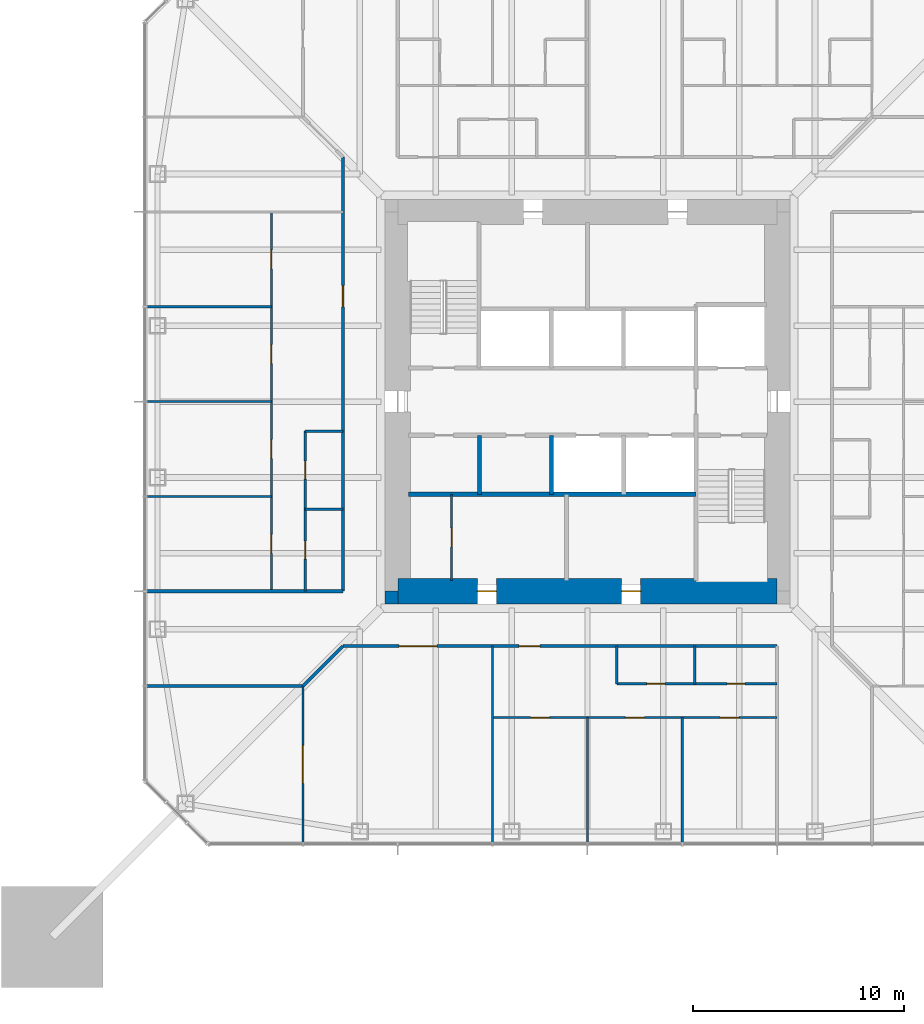
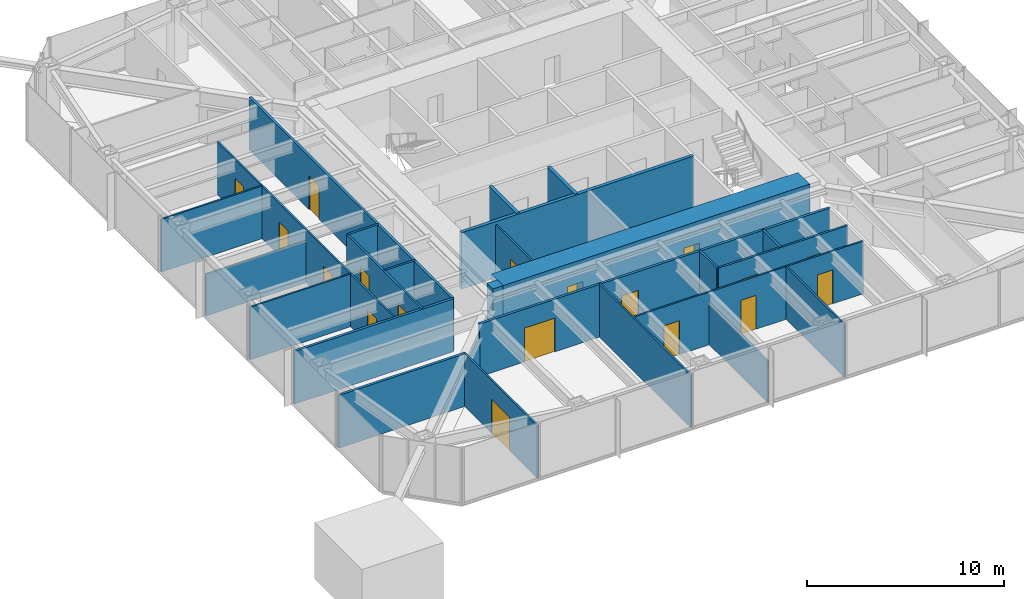
# One storey, part 13 of 25: 26 walls, 18 doors, 18 openings.
"""IFC4 building model written with IfcOpenShell, lengths in metres."""

import ifcopenshell
import ifcopenshell.guid

model = None  # the IFC model being written
_history = None  # IfcOwnerHistory: only IFC2X3 demands one
_inside = {}  # id of a spatial element -> (the spatial element, [elements in it])
_under = {}  # id of a project, library or spatial element -> (it, [spatial elements below it])
_declared = {}  # id of a project -> (the project, [libraries it declares])
_typed = {}  # id of a type object -> (the type object, [elements of that type])
_made_of = {}  # id of a material, layer set ... -> (it, [elements and type objects made of it])


def new_model(schema):
    """Start an empty IFC model of exactly this schema.

    Asked for "IFC4X3", IfcOpenShell would pick the latest addendum, in which some entities
    have other attributes; the version numbers below select the first issue.
    IFC2X3 requires an IfcOwnerHistory on every rooted entity: one is made here for all.
    """
    global model, _history
    if schema == "IFC4X3":
        model = ifcopenshell.file(schema_version=(4, 3, 0, 0))
    else:
        model = ifcopenshell.file(schema=schema)
    _inside.clear()
    _under.clear()
    _declared.clear()
    _typed.clear()
    _made_of.clear()
    _history = None
    if model.schema == "IFC2X3":
        org = make("IfcOrganization", Name="unknown")
        user = make(
            "IfcPersonAndOrganization",
            ThePerson=make("IfcPerson", FamilyName="unknown"),
            TheOrganization=org,
        )
        app = make(
            "IfcApplication",
            ApplicationDeveloper=org,
            Version="unknown",
            ApplicationFullName="unknown",
            ApplicationIdentifier="unknown",
        )
        _history = make(
            "IfcOwnerHistory",
            OwningUser=user,
            OwningApplication=app,
            ChangeAction="ADDED",
            CreationDate=0,
        )
    return model


def make(cls, **values):
    """One entity of the class cls with the attributes given. An attribute that is None is left unset."""
    return model.create_entity(
        cls, **{name: value for name, value in values.items() if value is not None}
    )


def rooted(cls, **values):
    """An entity with a GlobalId (a new one), such as an element, a storey or a relation."""
    return make(cls, GlobalId=ifcopenshell.guid.new(), OwnerHistory=_history, **values)


def si_unit(unit_type, name, prefix=None):
    """IfcSIUnit, for example si_unit("LENGTHUNIT", "METRE", prefix="MILLI")."""
    return make("IfcSIUnit", UnitType=unit_type, Prefix=prefix, Name=name)


def assignment(units):
    """IfcUnitAssignment: the units of a project."""
    return None if units is None else make("IfcUnitAssignment", Units=units)


def point(xyz):
    """IfcCartesianPoint."""
    return None if xyz is None else make("IfcCartesianPoint", Coordinates=xyz)


def direction(xyz):
    """IfcDirection."""
    return None if xyz is None else make("IfcDirection", DirectionRatios=xyz)


def frame(location, z_axis=None, x_axis=None):
    """IfcAxis2Placement3D, a coordinate frame: its origin and axes. An axis left out is left unset."""
    return make(
        "IfcAxis2Placement3D",
        Location=point(location),
        Axis=direction(z_axis),
        RefDirection=direction(x_axis),
    )


def frame_2d(location, x_axis=None):
    """IfcAxis2Placement2D, a coordinate frame in the plane: its origin and x axis."""
    return make(
        "IfcAxis2Placement2D", Location=point(location), RefDirection=direction(x_axis)
    )


def origin():
    """The frame at (0, 0, 0) with its axes left unset."""
    return frame((0.0, 0.0, 0.0))


def place(relative_to, where):
    """IfcLocalPlacement: puts the frame where relative to a parent placement (None: the world)."""
    return make(
        "IfcLocalPlacement", PlacementRelTo=relative_to, RelativePlacement=where
    )


def context(
    kind, dimensions, precision=None, world=None, true_north=None, identifier=None
):
    """IfcGeometricRepresentationContext, for example the 3D "Model" context."""
    return make(
        "IfcGeometricRepresentationContext",
        ContextIdentifier=identifier,
        ContextType=kind,
        CoordinateSpaceDimension=dimensions,
        Precision=precision,
        WorldCoordinateSystem=world,
        TrueNorth=true_north,
    )


def subcontext(parent, identifier, kind, view, scale=None):
    """IfcGeometricRepresentationSubContext, for example "Body" below "Model"."""
    return make(
        "IfcGeometricRepresentationSubContext",
        ContextIdentifier=identifier,
        ContextType=kind,
        ParentContext=parent,
        TargetScale=scale,
        TargetView=view,
    )


def project(units=None, contexts=None):
    """IfcProject with its units and contexts."""
    return rooted(
        "IfcProject",
        Name="project",
        RepresentationContexts=contexts,
        UnitsInContext=assignment(units),
    )


def spatial(cls, under=None, at=None, **own):
    """A site, building, storey or space (cls), placed at a placement, below another one or the project."""
    s = rooted(cls, ObjectPlacement=at, **own)
    if under is not None:
        _under.setdefault(under.id(), (under, []))[1].append(s)
    return s


def profile(cls, at=None, kind="AREA", **sizes):
    """A parametric profile (cls). Its sizes go by their IFC names, for example OverallWidth=200.0."""
    return make(cls, ProfileType=kind, Position=at, **sizes)


def rectangle(**sizes):
    """IfcRectangleProfileDef."""
    return profile("IfcRectangleProfileDef", **sizes)


def extrude(swept, where, along, depth):
    """IfcExtrudedAreaSolid: the profile swept, set in the frame where, extruded along a direction by depth."""
    return make(
        "IfcExtrudedAreaSolid",
        SweptArea=swept,
        Position=where,
        ExtrudedDirection=direction(along),
        Depth=depth,
    )


def shape(context_of_items, identifier, shape_type, items):
    """IfcShapeRepresentation: the items that make up one representation, for example the "Body"."""
    return make(
        "IfcShapeRepresentation",
        ContextOfItems=context_of_items,
        RepresentationIdentifier=identifier,
        RepresentationType=shape_type,
        Items=items,
    )


def material(Name=None, Category=None):
    """IfcMaterial."""
    return make("IfcMaterial", Name=Name, Category=Category)


def layer(
    of_material, thickness, ventilated=None, Name=None, Category=None, Priority=None
):
    """IfcMaterialLayer: one layer of a wall or slab, of a material (None: an air gap)."""
    return make(
        "IfcMaterialLayer",
        Material=of_material,
        LayerThickness=thickness,
        IsVentilated=ventilated,
        Name=Name,
        Category=Category,
        Priority=Priority,
    )


def layer_set(layers, Name=None):
    """IfcMaterialLayerSet."""
    return make("IfcMaterialLayerSet", MaterialLayers=layers, LayerSetName=Name)


def made_of(thing, what):
    """Note that an element or type object is made of a material, layer set ...; save() writes the relation."""
    if what is not None:
        _made_of.setdefault(what.id(), (what, []))[1].append(thing)
    return thing


def type_object(cls, material=None, **own):
    """A type object (cls), such as IfcWallType, which elements share."""
    return made_of(rooted(cls, **own), material)


def element(
    cls,
    number,
    at=None,
    inside=None,
    cuts=None,
    type_object=None,
    material=None,
    context=None,
    identifier="Body",
    shape_type=None,
    held_by="IfcProductDefinitionShape",
    body=None,
    shapes=None,
    **own,
):
    """One element of the class cls, such as IfcWall. Its Tag is "e" and its number.

    at: its placement. inside: the storey or other place that contains it. cuts: it is an
    opening in that element (IfcRelVoidsElement). A single representation is given by context,
    identifier, shape_type and body (its items); several are given by shapes. held_by: the class
    of the entity that holds the representations. save() writes the other relations.
    """
    e = rooted(cls, Tag="e%d" % number, ObjectPlacement=at, **own)
    if body is not None:
        shapes = [shape(context, identifier, shape_type, body)]
    if shapes is not None:
        e.Representation = make(held_by, Representations=shapes)
    if inside is not None:
        _inside.setdefault(inside.id(), (inside, []))[1].append(e)
    if cuts is not None:
        rooted(
            "IfcRelVoidsElement", RelatingBuildingElement=cuts, RelatedOpeningElement=e
        )
    if type_object is not None:
        _typed.setdefault(type_object.id(), (type_object, []))[1].append(e)
    return made_of(e, material)


def fill(opening, filler):
    """IfcRelFillsElement: the door or window that sits in an opening."""
    return rooted(
        "IfcRelFillsElement",
        RelatingOpeningElement=opening,
        RelatedBuildingElement=filler,
    )


def aggregate(whole, parts):
    """IfcRelAggregates: a whole, such as a stair, and the parts it consists of."""
    return rooted("IfcRelAggregates", RelatingObject=whole, RelatedObjects=parts)


def save(model, path):
    """Write the relations noted so far, then the file.

    IfcRelAggregates (storeys below a building ...), IfcRelContainedInSpatialStructure (elements
    in a storey), IfcRelDefinesByType, IfcRelAssociatesMaterial and IfcRelDeclares: one each for
    every whole, place, type object, material and project.
    """
    for whole, parts in _under.values():
        aggregate(whole, parts)
    for where, things in _inside.values():
        rooted(
            "IfcRelContainedInSpatialStructure",
            RelatedElements=things,
            RelatingStructure=where,
        )
    for kind, things in _typed.values():
        rooted("IfcRelDefinesByType", RelatedObjects=things, RelatingType=kind)
    for what, things in _made_of.values():
        rooted("IfcRelAssociatesMaterial", RelatedObjects=things, RelatingMaterial=what)
    for by, libraries in _declared.values():
        rooted("IfcRelDeclares", RelatingContext=by, RelatedDefinitions=libraries)
    model.write(path)


model = new_model("IFC4")

# Units and contexts
model_context = context("Model", 3, precision=1e-05, world=origin(), true_north=direction((0.0, 1.0)))
body_context = subcontext(model_context, "Body", "Model", "MODEL_VIEW")
ifc_project = project(units=[si_unit("LENGTHUNIT", "METRE"), si_unit("AREAUNIT", "SQUARE_METRE"), si_unit("VOLUMEUNIT", "CUBIC_METRE"), si_unit("PLANEANGLEUNIT", "RADIAN"), si_unit("MASSUNIT", "GRAM", prefix="KILO")], contexts=[model_context])

# Site, building, storey
site_placement = place(None, origin())
site = spatial("IfcSite", under=ifc_project, at=site_placement, CompositionType="ELEMENT")
building_placement = place(site_placement, origin())
building = spatial("IfcBuilding", under=site, at=building_placement, Name="Iwan Alto Co-Living Towers", CompositionType="ELEMENT")
storey_placement = place(building_placement, frame((0.0, 0.0, 112.0)))
storey = spatial("IfcBuildingStorey", under=building, at=storey_placement, Name="L30", CompositionType="ELEMENT", Elevation=112.0)

# Wall
ifc_material_1 = material(Name="Gypsum board")
ifc_layer_1 = layer(ifc_material_1, 0.02490234375, Name="Board", Category="Finish")
ifc_material_2 = material(Name="Steel ASTM A1003 ST33H cold-formed studs", Category="steel")
ifc_layer_2 = layer(ifc_material_2, 0.10009765625, Name="Studs", Category="Framing")
ifc_layer_3 = layer(ifc_material_1, 0.02490234375, Name="Board", Category="Finish")
ifc_layer_set_1 = layer_set([ifc_layer_1, ifc_layer_2, ifc_layer_3], Name="CORRIDOR WALL 150")
wall_type_1 = type_object("IfcWallType", Name="CORRIDOR WALL 150", PredefinedType="PARTITIONING", material=ifc_layer_set_1)
wall_1_placement = place(storey_placement, frame((-20.93994140625, -13.5, 0.0), z_axis=(0.0, 0.0, 1.0), x_axis=(1.0, 0.0, 0.0)))
element("IfcWall", 1, at=wall_1_placement, inside=storey, type_object=wall_type_1, Name="Partition L30", PredefinedType="PARTITIONING", context=body_context, shape_type="SweptSolid", body=[
    extrude(rectangle(XDim=7.43994140625, YDim=0.14990234375, at=frame_2d((3.719970703125, 0.0))), origin(), (0.0, 0.0, 1.0), 3.27001953125),
])

# Wall, openings, doors
wall_2_placement = place(storey_placement, frame((-11.60009765625, -11.60009765625, 0.0), z_axis=(0.0, 0.0, 1.0), x_axis=(1.0, 0.0, 0.0)))
wall_2 = element("IfcWall", 2, at=wall_2_placement, inside=storey, type_object=wall_type_1, Name="Partition L30", PredefinedType="PARTITIONING", context=body_context, shape_type="SweptSolid", body=[
    extrude(rectangle(XDim=20.60009765625, YDim=0.14990234375, at=frame_2d((10.300048828125, 0.0))), origin(), (0.0, 0.0, 1.0), 3.27001953125),
])
opening_1_placement = place(wall_2_placement, frame((2.64990234375, 0.0, 0.0)))
opening_1 = element("IfcOpeningElement", 3, at=opening_1_placement, cuts=wall_2, Name="Opening D9", PredefinedType="OPENING", context=body_context, shape_type="SweptSolid", body=[
    extrude(rectangle(XDim=1.800048828125, YDim=2.10009765625, at=frame_2d((0.89990234375, 1.050048828125))), frame((0.0, 0.0849609375, 0.0), z_axis=(0.0, -1.0, 0.0), x_axis=(1.0, 0.0, 0.0)), (0.0, 0.0, 1.0), 0.169921875),
])
opening_2_placement = place(wall_2_placement, frame((8.35009765625, 0.0, 0.0)))
opening_2 = element("IfcOpeningElement", 4, at=opening_2_placement, cuts=wall_2, Name="Opening D3", PredefinedType="OPENING", context=body_context, shape_type="SweptSolid", body=[
    extrude(rectangle(XDim=1.0, YDim=2.10009765625, at=frame_2d((0.5, 1.050048828125))), frame((0.0, 0.0849609375, 0.0), z_axis=(0.0, -1.0, 0.0), x_axis=(1.0, 0.0, 0.0)), (0.0, 0.0, 1.0), 0.169921875),
])
ifc_material_3 = material(Name="Steel frame with timber leaf", Category="steel")
door_type_1 = type_object("IfcDoorType", Name="FLAT ENTRANCE DOOR FD30S 1000X2100", OperationType="SINGLE_SWING_LEFT", PredefinedType="DOOR", material=ifc_material_3)
door_1_placement = place(opening_2_placement, frame((1.0, 0.0, 0.0), z_axis=(0.0, 0.0, 1.0), x_axis=(-1.0, 0.0, 0.0)))
door_1 = element("IfcDoor", 5, at=door_1_placement, inside=storey, type_object=door_type_1, Name="Cluster lounge and shared kitchen door L30", OperationType="SINGLE_SWING_RIGHT", OverallHeight=2.10009765625, OverallWidth=1.0, PredefinedType="DOOR", context=body_context, shape_type="SweptSolid", body=[
    extrude(rectangle(XDim=1.0, YDim=2.10009765625, at=frame_2d((0.5, 1.050048828125))), frame((0.0, 0.02490234375, 0.0), z_axis=(0.0, -1.0, 0.0), x_axis=(1.0, 0.0, 0.0)), (0.0, 0.0, 1.0), 0.050048828125),
])
fill(opening_2, door_1)
ifc_material_4 = material(Name="Steel frame with timber leaf", Category="steel")
door_type_2 = type_object("IfcDoorType", Name="LOUNGE DOOR FD30S 1800X2100", OperationType="DOUBLE_DOOR_SINGLE_SWING", PredefinedType="DOOR", material=ifc_material_4)
door_2_placement = place(opening_1_placement, frame((1.800048828125, 0.0, 0.0), z_axis=(0.0, 0.0, 1.0), x_axis=(-1.0, 0.0, 0.0)))
door_2 = element("IfcDoor", 6, at=door_2_placement, inside=storey, type_object=door_type_2, Name="Study commons door L30", OperationType="DOUBLE_DOOR_SINGLE_SWING", OverallHeight=2.10009765625, OverallWidth=1.800048828125, PredefinedType="DOOR", context=body_context, shape_type="SweptSolid", body=[
    extrude(rectangle(XDim=1.800048828125, YDim=2.10009765625, at=frame_2d((0.89990234375, 1.050048828125))), frame((0.0, 0.02490234375, 0.0), z_axis=(0.0, -1.0, 0.0), x_axis=(1.0, 0.0, 0.0)), (0.0, 0.0, 1.0), 0.050048828125),
])
fill(opening_1, door_2)

# Walls
wall_3_placement = place(storey_placement, frame((-20.93994140625, -9.0, 0.0), z_axis=(0.0, 0.0, 1.0), x_axis=(1.0, 0.0, 0.0)))
element("IfcWall", 7, at=wall_3_placement, inside=storey, type_object=wall_type_1, Name="Partition L30", PredefinedType="PARTITIONING", context=body_context, shape_type="SweptSolid", body=[
    extrude(rectangle(XDim=9.33984375, YDim=0.14990234375, at=frame_2d((4.669921875, 0.0))), origin(), (0.0, 0.0, 1.0), 3.27001953125),
])
wall_4_placement = place(storey_placement, frame((-13.5, -13.5, 0.0), z_axis=(0.0, 0.0, 1.0), x_axis=(0.707106781187, 0.707106781187, 0.0)))
element("IfcWall", 8, at=wall_4_placement, inside=storey, type_object=wall_type_1, Name="Partition L30", PredefinedType="PARTITIONING", context=body_context, shape_type="SweptSolid", body=[
    extrude(rectangle(XDim=2.686767578125, YDim=0.14990234375, at=frame_2d((1.34326171875, 0.0))), origin(), (0.0, 0.0, 1.0), 2.343017578125),
])

# Wall, opening, door
wall_5_placement = place(storey_placement, frame((-11.60009765625, -9.0, 0.0), z_axis=(0.0, 0.0, 1.0), x_axis=(0.0, 1.0, 0.0)))
wall_5 = element("IfcWall", 9, at=wall_5_placement, inside=storey, type_object=wall_type_1, Name="Partition L30", PredefinedType="PARTITIONING", context=body_context, shape_type="SweptSolid", body=[
    extrude(rectangle(XDim=20.60009765625, YDim=0.14990234375, at=frame_2d((10.300048828125, 0.0))), origin(), (0.0, 0.0, 1.0), 3.27001953125),
])
opening_3_placement = place(wall_5_placement, frame((13.5, 0.0, 0.0)))
opening_3 = element("IfcOpeningElement", 10, at=opening_3_placement, cuts=wall_5, Name="Opening D3", PredefinedType="OPENING", context=body_context, shape_type="SweptSolid", body=[
    extrude(rectangle(XDim=1.0, YDim=2.10009765625, at=frame_2d((0.5, 1.050048828125))), frame((0.0, 0.0849609375, 0.0), z_axis=(0.0, -1.0, 0.0), x_axis=(1.0, 0.0, 0.0)), (0.0, 0.0, 1.0), 0.169921875),
])
door_3_placement = place(opening_3_placement, origin())
door_3 = element("IfcDoor", 11, at=door_3_placement, inside=storey, type_object=door_type_1, Name="Cluster lounge and shared kitchen door L30", OperationType="SINGLE_SWING_RIGHT", OverallHeight=2.10009765625, OverallWidth=1.0, PredefinedType="DOOR", context=body_context, shape_type="SweptSolid", body=[
    extrude(rectangle(XDim=1.0, YDim=2.10009765625, at=frame_2d((0.5, 1.050048828125))), frame((0.0, 0.02490234375, 0.0), z_axis=(0.0, -1.0, 0.0), x_axis=(1.0, 0.0, 0.0)), (0.0, 0.0, 1.0), 0.050048828125),
])
fill(opening_3, door_3)

# Wall, openings, doors
ifc_layer_4 = layer(ifc_material_1, 0.012451171875, Name="Board", Category="Finish")
ifc_layer_5 = layer(ifc_material_2, 0.074951171875, Name="Studs", Category="Framing")
ifc_layer_6 = layer(ifc_material_1, 0.012451171875, Name="Board", Category="Finish")
ifc_layer_set_2 = layer_set([ifc_layer_4, ifc_layer_5, ifc_layer_6], Name="PARTITION 100")
wall_type_2 = type_object("IfcWallType", Name="PARTITION 100", PredefinedType="PARTITIONING", material=ifc_layer_set_2)
wall_6_placement = place(storey_placement, frame((-4.5, -15.0, 0.0), z_axis=(0.0, 0.0, 1.0), x_axis=(1.0, 0.0, 0.0)))
wall_6 = element("IfcWall", 12, at=wall_6_placement, inside=storey, type_object=wall_type_2, Name="Partition L30", PredefinedType="PARTITIONING", context=body_context, shape_type="SweptSolid", body=[
    extrude(rectangle(XDim=13.5, YDim=0.10009765625, at=frame_2d((6.75, 0.0))), origin(), (0.0, 0.0, 1.0), 3.27001953125),
])
opening_4_placement = place(wall_6_placement, frame((1.800048828125, 0.0, 0.0)))
opening_4 = element("IfcOpeningElement", 13, at=opening_4_placement, cuts=wall_6, Name="Opening D1", PredefinedType="OPENING", context=body_context, shape_type="SweptSolid", body=[
    extrude(rectangle(XDim=0.89990234375, YDim=2.10009765625, at=frame_2d((0.449951171875, 1.050048828125))), frame((0.0, 0.06005859375, 0.0), z_axis=(0.0, -1.0, 0.0), x_axis=(1.0, 0.0, 0.0)), (0.0, 0.0, 1.0), 0.1201171875),
])
opening_5_placement = place(wall_6_placement, frame((6.300048828125, 0.0, 0.0)))
opening_5 = element("IfcOpeningElement", 14, at=opening_5_placement, cuts=wall_6, Name="Opening D1", PredefinedType="OPENING", context=body_context, shape_type="SweptSolid", body=[
    extrude(rectangle(XDim=0.89990234375, YDim=2.10009765625, at=frame_2d((0.449951171875, 1.050048828125))), frame((0.0, 0.06005859375, 0.0), z_axis=(0.0, -1.0, 0.0), x_axis=(1.0, 0.0, 0.0)), (0.0, 0.0, 1.0), 0.1201171875),
])
opening_6_placement = place(wall_6_placement, frame((10.800048828125, 0.0, 0.0)))
opening_6 = element("IfcOpeningElement", 15, at=opening_6_placement, cuts=wall_6, Name="Opening D1", PredefinedType="OPENING", context=body_context, shape_type="SweptSolid", body=[
    extrude(rectangle(XDim=0.89990234375, YDim=2.10009765625, at=frame_2d((0.449951171875, 1.050048828125))), frame((0.0, 0.06005859375, 0.0), z_axis=(0.0, -1.0, 0.0), x_axis=(1.0, 0.0, 0.0)), (0.0, 0.0, 1.0), 0.1201171875),
])
ifc_material_5 = material(Name="Timber leaf in steel frame", Category="steel")
door_type_3 = type_object("IfcDoorType", Name="BEDROOM DOOR 900X2100", OperationType="SINGLE_SWING_LEFT", PredefinedType="DOOR", material=ifc_material_5)
door_4_placement = place(opening_4_placement, origin())
door_4 = element("IfcDoor", 16, at=door_4_placement, inside=storey, type_object=door_type_3, Name="Study bedroom door L30", OperationType="SINGLE_SWING_LEFT", OverallHeight=2.10009765625, OverallWidth=0.89990234375, PredefinedType="DOOR", context=body_context, shape_type="SweptSolid", body=[
    extrude(rectangle(XDim=0.89990234375, YDim=2.10009765625, at=frame_2d((0.449951171875, 1.050048828125))), frame((0.0, 0.02490234375, 0.0), z_axis=(0.0, -1.0, 0.0), x_axis=(1.0, 0.0, 0.0)), (0.0, 0.0, 1.0), 0.050048828125),
])
fill(opening_4, door_4)
door_5_placement = place(opening_5_placement, origin())
door_5 = element("IfcDoor", 17, at=door_5_placement, inside=storey, type_object=door_type_3, Name="Study bedroom door L30", OperationType="SINGLE_SWING_LEFT", OverallHeight=2.10009765625, OverallWidth=0.89990234375, PredefinedType="DOOR", context=body_context, shape_type="SweptSolid", body=[
    extrude(rectangle(XDim=0.89990234375, YDim=2.10009765625, at=frame_2d((0.449951171875, 1.050048828125))), frame((0.0, 0.02490234375, 0.0), z_axis=(0.0, -1.0, 0.0), x_axis=(1.0, 0.0, 0.0)), (0.0, 0.0, 1.0), 0.050048828125),
])
fill(opening_5, door_5)
door_6_placement = place(opening_6_placement, origin())
door_6 = element("IfcDoor", 18, at=door_6_placement, inside=storey, type_object=door_type_3, Name="Study bedroom door L30", OperationType="SINGLE_SWING_RIGHT", OverallHeight=2.10009765625, OverallWidth=0.89990234375, PredefinedType="DOOR", context=body_context, shape_type="SweptSolid", body=[
    extrude(rectangle(XDim=0.89990234375, YDim=2.10009765625, at=frame_2d((0.449951171875, 1.050048828125))), frame((0.0, 0.02490234375, 0.0), z_axis=(0.0, -1.0, 0.0), x_axis=(1.0, 0.0, 0.0)), (0.0, 0.0, 1.0), 0.050048828125),
])
fill(opening_6, door_6)

# Walls
wall_7_placement = place(storey_placement, frame((-20.93994140625, -4.5, 0.0), z_axis=(0.0, 0.0, 1.0), x_axis=(1.0, 0.0, 0.0)))
element("IfcWall", 19, at=wall_7_placement, inside=storey, type_object=wall_type_2, Name="Partition L30", PredefinedType="PARTITIONING", context=body_context, shape_type="SweptSolid", body=[
    extrude(rectangle(XDim=5.93994140625, YDim=0.10009765625, at=frame_2d((2.969970703125, 0.0))), origin(), (0.0, 0.0, 1.0), 3.27001953125),
])
wall_8_placement = place(storey_placement, frame((-20.93994140625, 0.0, 0.0), z_axis=(0.0, 0.0, 1.0), x_axis=(1.0, 0.0, 0.0)))
element("IfcWall", 20, at=wall_8_placement, inside=storey, type_object=wall_type_2, Name="Partition L30", PredefinedType="PARTITIONING", context=body_context, shape_type="SweptSolid", body=[
    extrude(rectangle(XDim=5.93994140625, YDim=0.10009765625, at=frame_2d((2.969970703125, 0.0))), origin(), (0.0, 0.0, 1.0), 2.586669921875),
])
for number, where, z_axis, x_axis, name in (
    (21, (-20.93994140625, 4.5, 0.0), (0.0, 0.0, 1.0), (1.0, 0.0, 0.0), "Partition L30"),
    (22, (4.5, -20.93994140625, 0.0), (0.0, 0.0, 1.0), (0.0, 1.0, 0.0), "Partition L30"),
):
    element("IfcWall", number, at=place(storey_placement, frame(where, z_axis=z_axis, x_axis=x_axis)), inside=storey, type_object=wall_type_2, Name=name, PredefinedType="PARTITIONING", context=body_context, shape_type="SweptSolid", body=[
        extrude(rectangle(XDim=5.93994140625, YDim=0.10009765625, at=frame_2d((2.969970703125, 0.0))), origin(), (0.0, 0.0, 1.0), 3.27001953125),
    ])
wall_9_placement = place(storey_placement, frame((0.0, -20.93994140625, 0.0), z_axis=(0.0, 0.0, 1.0), x_axis=(0.0, 1.0, 0.0)))
element("IfcWall", 23, at=wall_9_placement, inside=storey, type_object=wall_type_2, Name="Partition L30", PredefinedType="PARTITIONING", context=body_context, shape_type="SweptSolid", body=[
    extrude(rectangle(XDim=5.93994140625, YDim=0.10009765625, at=frame_2d((2.969970703125, 0.0))), origin(), (0.0, 0.0, 1.0), 2.586669921875),
])
wall_10_placement = place(storey_placement, frame((-4.5, -20.93994140625, 0.0), z_axis=(0.0, 0.0, 1.0), x_axis=(0.0, 1.0, 0.0)))
element("IfcWall", 24, at=wall_10_placement, inside=storey, type_object=wall_type_2, Name="Partition L30", PredefinedType="PARTITIONING", context=body_context, shape_type="SweptSolid", body=[
    extrude(rectangle(XDim=9.33984375, YDim=0.10009765625, at=frame_2d((4.669921875, 0.0))), origin(), (0.0, 0.0, 1.0), 3.27001953125),
])

# Wall, opening, door
wall_11_placement = place(storey_placement, frame((-6.449951171875, -8.489990234375, 0.0), z_axis=(0.0, 0.0, 1.0), x_axis=(0.0, 1.0, 0.0)))
wall_11 = element("IfcWall", 25, at=wall_11_placement, inside=storey, type_object=wall_type_2, Name="Partition L30", PredefinedType="PARTITIONING", context=body_context, shape_type="SweptSolid", body=[
    extrude(rectangle(XDim=4.090087890625, YDim=0.10009765625, at=frame_2d((2.044921875, 0.0))), origin(), (0.0, 0.0, 1.0), 3.300048828125),
])
opening_7_placement = place(wall_11_placement, frame((1.594970703125, 0.0, 0.0)))
opening_7 = element("IfcOpeningElement", 26, at=opening_7_placement, cuts=wall_11, Name="Opening D16", PredefinedType="OPENING", context=body_context, shape_type="SweptSolid", body=[
    extrude(rectangle(XDim=0.89990234375, YDim=2.10009765625, at=frame_2d((0.449951171875, 1.050048828125))), frame((0.0, 0.06005859375, 0.0), z_axis=(0.0, -1.0, 0.0), x_axis=(1.0, 0.0, 0.0)), (0.0, 0.0, 1.0), 0.1201171875),
])
ifc_material_6 = material(Name="Timber leaf in steel frame", Category="steel")
door_type_4 = type_object("IfcDoorType", Name="CUPBOARD SLIDING DOOR 900X2100", OperationType="SLIDING_TO_LEFT", PredefinedType="DOOR", material=ifc_material_6)
door_7_placement = place(opening_7_placement, origin())
door_7 = element("IfcDoor", 27, at=door_7_placement, inside=storey, type_object=door_type_4, Name="Recycling store door L30", OperationType="SLIDING_TO_LEFT", OverallHeight=2.10009765625, OverallWidth=0.89990234375, PredefinedType="DOOR", context=body_context, shape_type="SweptSolid", body=[
    extrude(rectangle(XDim=0.89990234375, YDim=2.10009765625, at=frame_2d((0.449951171875, 1.050048828125))), frame((0.0, 0.02490234375, 0.0), z_axis=(0.0, -1.0, 0.0), x_axis=(1.0, 0.0, 0.0)), (0.0, 0.0, 1.0), 0.050048828125),
])
fill(opening_7, door_7)

wall_12_placement = place(storey_placement, frame((-13.5, -20.93994140625, 0.0), z_axis=(0.0, 0.0, 1.0), x_axis=(0.0, 1.0, 0.0)))
wall_12 = element("IfcWall", 28, at=wall_12_placement, inside=storey, type_object=wall_type_2, Name="Partition L30", PredefinedType="PARTITIONING", context=body_context, shape_type="SweptSolid", body=[
    extrude(rectangle(XDim=7.43994140625, YDim=0.10009765625, at=frame_2d((3.719970703125, 0.0))), origin(), (0.0, 0.0, 1.0), 3.27001953125),
])
opening_8_placement = place(wall_12_placement, frame((2.820068359375, 0.0, 0.0)))
opening_8 = element("IfcOpeningElement", 29, at=opening_8_placement, cuts=wall_12, Name="Opening D14", PredefinedType="OPENING", context=body_context, shape_type="SweptSolid", body=[
    extrude(rectangle(XDim=1.800048828125, YDim=2.10009765625, at=frame_2d((0.89990234375, 1.050048828125))), frame((0.0, 0.06005859375, 0.0), z_axis=(0.0, -1.0, 0.0), x_axis=(1.0, 0.0, 0.0)), (0.0, 0.0, 1.0), 0.1201171875),
])
ifc_material_7 = material(Name="Timber leaf in steel frame", Category="steel")
door_type_5 = type_object("IfcDoorType", Name="LOUNGE DOOR 1800X2100", OperationType="DOUBLE_DOOR_SINGLE_SWING", PredefinedType="DOOR", material=ifc_material_7)
door_8_placement = place(opening_8_placement, frame((1.800048828125, 0.0, 0.0), z_axis=(0.0, 0.0, 1.0), x_axis=(-1.0, 0.0, 0.0)))
door_8 = element("IfcDoor", 30, at=door_8_placement, inside=storey, type_object=door_type_5, Name="Courtyard lounge door L30", OperationType="DOUBLE_DOOR_SINGLE_SWING", OverallHeight=2.10009765625, OverallWidth=1.800048828125, PredefinedType="DOOR", context=body_context, shape_type="SweptSolid", body=[
    extrude(rectangle(XDim=1.800048828125, YDim=2.10009765625, at=frame_2d((0.89990234375, 1.050048828125))), frame((0.0, 0.02490234375, 0.0), z_axis=(0.0, -1.0, 0.0), x_axis=(1.0, 0.0, 0.0)), (0.0, 0.0, 1.0), 0.050048828125),
])
fill(opening_8, door_8)

# Wall, openings, doors
wall_13_placement = place(storey_placement, frame((-15.0, -9.0, 0.0), z_axis=(0.0, 0.0, 1.0), x_axis=(0.0, 1.0, 0.0)))
wall_13 = element("IfcWall", 31, at=wall_13_placement, inside=storey, type_object=wall_type_2, Name="Partition L30", PredefinedType="PARTITIONING", context=body_context, shape_type="SweptSolid", body=[
    extrude(rectangle(XDim=18.0, YDim=0.10009765625, at=frame_2d((9.0, 0.0))), origin(), (0.0, 0.0, 1.0), 3.27001953125),
])
opening_9_placement = place(wall_13_placement, frame((15.300048828125, 0.0, 0.0)))
opening_9 = element("IfcOpeningElement", 32, at=opening_9_placement, cuts=wall_13, Name="Opening D1", PredefinedType="OPENING", context=body_context, shape_type="SweptSolid", body=[
    extrude(rectangle(XDim=0.89990234375, YDim=2.10009765625, at=frame_2d((0.449951171875, 1.050048828125))), frame((0.0, 0.06005859375, 0.0), z_axis=(0.0, -1.0, 0.0), x_axis=(1.0, 0.0, 0.0)), (0.0, 0.0, 1.0), 0.1201171875),
])
opening_10_placement = place(wall_13_placement, frame((10.800048828125, 0.0, 0.0)))
opening_10 = element("IfcOpeningElement", 33, at=opening_10_placement, cuts=wall_13, Name="Opening D1", PredefinedType="OPENING", context=body_context, shape_type="SweptSolid", body=[
    extrude(rectangle(XDim=0.89990234375, YDim=2.10009765625, at=frame_2d((0.449951171875, 1.050048828125))), frame((0.0, 0.06005859375, 0.0), z_axis=(0.0, -1.0, 0.0), x_axis=(1.0, 0.0, 0.0)), (0.0, 0.0, 1.0), 0.1201171875),
])
opening_11_placement = place(wall_13_placement, frame((6.300048828125, 0.0, 0.0)))
opening_11 = element("IfcOpeningElement", 34, at=opening_11_placement, cuts=wall_13, Name="Opening D1", PredefinedType="OPENING", context=body_context, shape_type="SweptSolid", body=[
    extrude(rectangle(XDim=0.89990234375, YDim=2.10009765625, at=frame_2d((0.449951171875, 1.050048828125))), frame((0.0, 0.06005859375, 0.0), z_axis=(0.0, -1.0, 0.0), x_axis=(1.0, 0.0, 0.0)), (0.0, 0.0, 1.0), 0.1201171875),
])
opening_12_placement = place(wall_13_placement, frame((1.800048828125, 0.0, 0.0)))
opening_12 = element("IfcOpeningElement", 35, at=opening_12_placement, cuts=wall_13, Name="Opening D1", PredefinedType="OPENING", context=body_context, shape_type="SweptSolid", body=[
    extrude(rectangle(XDim=0.89990234375, YDim=2.10009765625, at=frame_2d((0.449951171875, 1.050048828125))), frame((0.0, 0.06005859375, 0.0), z_axis=(0.0, -1.0, 0.0), x_axis=(1.0, 0.0, 0.0)), (0.0, 0.0, 1.0), 0.1201171875),
])
door_9_placement = place(opening_9_placement, frame((0.89990234375, 0.0, 0.0), z_axis=(0.0, 0.0, 1.0), x_axis=(-1.0, 0.0, 0.0)))
door_9 = element("IfcDoor", 36, at=door_9_placement, inside=storey, type_object=door_type_3, Name="Study bedroom door L30", OperationType="SINGLE_SWING_LEFT", OverallHeight=2.10009765625, OverallWidth=0.89990234375, PredefinedType="DOOR", context=body_context, shape_type="SweptSolid", body=[
    extrude(rectangle(XDim=0.89990234375, YDim=2.10009765625, at=frame_2d((0.449951171875, 1.050048828125))), frame((0.0, 0.02490234375, 0.0), z_axis=(0.0, -1.0, 0.0), x_axis=(1.0, 0.0, 0.0)), (0.0, 0.0, 1.0), 0.050048828125),
])
fill(opening_9, door_9)
door_10_placement = place(opening_10_placement, frame((0.89990234375, 0.0, 0.0), z_axis=(0.0, 0.0, 1.0), x_axis=(-1.0, 0.0, 0.0)))
door_10 = element("IfcDoor", 37, at=door_10_placement, inside=storey, type_object=door_type_3, Name="Study bedroom door L30", OperationType="SINGLE_SWING_LEFT", OverallHeight=2.10009765625, OverallWidth=0.89990234375, PredefinedType="DOOR", context=body_context, shape_type="SweptSolid", body=[
    extrude(rectangle(XDim=0.89990234375, YDim=2.10009765625, at=frame_2d((0.449951171875, 1.050048828125))), frame((0.0, 0.02490234375, 0.0), z_axis=(0.0, -1.0, 0.0), x_axis=(1.0, 0.0, 0.0)), (0.0, 0.0, 1.0), 0.050048828125),
])
fill(opening_10, door_10)
door_11_placement = place(opening_11_placement, frame((0.89990234375, 0.0, 0.0), z_axis=(0.0, 0.0, 1.0), x_axis=(-1.0, 0.0, 0.0)))
door_11 = element("IfcDoor", 38, at=door_11_placement, inside=storey, type_object=door_type_3, Name="Study bedroom door L30", OperationType="SINGLE_SWING_RIGHT", OverallHeight=2.10009765625, OverallWidth=0.89990234375, PredefinedType="DOOR", context=body_context, shape_type="SweptSolid", body=[
    extrude(rectangle(XDim=0.89990234375, YDim=2.10009765625, at=frame_2d((0.449951171875, 1.050048828125))), frame((0.0, 0.02490234375, 0.0), z_axis=(0.0, -1.0, 0.0), x_axis=(1.0, 0.0, 0.0)), (0.0, 0.0, 1.0), 0.050048828125),
])
fill(opening_11, door_11)
door_12_placement = place(opening_12_placement, frame((0.89990234375, 0.0, 0.0), z_axis=(0.0, 0.0, 1.0), x_axis=(-1.0, 0.0, 0.0)))
door_12 = element("IfcDoor", 39, at=door_12_placement, inside=storey, type_object=door_type_3, Name="Study bedroom door L30", OperationType="SINGLE_SWING_RIGHT", OverallHeight=2.10009765625, OverallWidth=0.89990234375, PredefinedType="DOOR", context=body_context, shape_type="SweptSolid", body=[
    extrude(rectangle(XDim=0.89990234375, YDim=2.10009765625, at=frame_2d((0.449951171875, 1.050048828125))), frame((0.0, 0.02490234375, 0.0), z_axis=(0.0, -1.0, 0.0), x_axis=(1.0, 0.0, 0.0)), (0.0, 0.0, 1.0), 0.050048828125),
])
fill(opening_12, door_12)

# Walls
ifc_material_8 = material(Name="Concrete f'c 70 MPa", Category="concrete")
ifc_layer_7 = layer(ifc_material_8, 0.199951171875)
ifc_layer_set_3 = layer_set([ifc_layer_7], Name="SHAFT WALL 200")
wall_type_3 = type_object("IfcWallType", Name="SHAFT WALL 200", PredefinedType="SOLIDWALL", material=ifc_layer_set_3)
wall_14_placement = place(storey_placement, frame((-8.489990234375, -4.39990234375, 0.0), z_axis=(0.0, 0.0, 1.0), x_axis=(1.0, 0.0, 0.0)))
element("IfcWall", 40, at=wall_14_placement, inside=storey, type_object=wall_type_3, Name="Shaft wall L30", PredefinedType="SOLIDWALL", context=body_context, shape_type="SweptSolid", body=[
    extrude(rectangle(XDim=13.639892578125, YDim=0.199951171875, at=frame_2d((6.81982421875, 0.0))), origin(), (0.0, 0.0, 1.0), 3.5),
])
for number, where, z_axis, x_axis, name in (
    (41, (-1.699951171875, -4.39990234375, 0.0), (0.0, 0.0, 1.0), (0.0, 1.0, 0.0), "Shaft wall L30"),
    (42, (-5.125, -4.39990234375, 0.0), (0.0, 0.0, 1.0), (0.0, 1.0, 0.0), "Shaft wall L30"),
):
    element("IfcWall", number, at=place(storey_placement, frame(where, z_axis=z_axis, x_axis=x_axis)), inside=storey, type_object=wall_type_3, Name=name, PredefinedType="SOLIDWALL", context=body_context, shape_type="SweptSolid", body=[
        extrude(rectangle(XDim=2.7998046875, YDim=0.199951171875, at=frame_2d((1.39990234375, 0.0))), origin(), (0.0, 0.0, 1.0), 3.5),
    ])
ifc_material_9 = material(Name="Concrete f'c 70 MPa", Category="concrete")
ifc_layer_8 = layer(ifc_material_9, 0.60009765625)
ifc_layer_set_4 = layer_set([ifc_layer_8], Name="T1 CORE CORNER FILL 600")
wall_type_4 = type_object("IfcWallType", Name="T1 CORE CORNER FILL 600", PredefinedType="SOLIDWALL", material=ifc_layer_set_4)
wall_15_placement = place(storey_placement, frame((-9.60009765625, -9.300048828125, 0.0), z_axis=(0.0, 0.0, 1.0), x_axis=(1.0, 0.0, 0.0)))
element("IfcWall", 43, at=wall_15_placement, inside=storey, type_object=wall_type_4, Name="T1 core corner SW L30", PredefinedType="SOLIDWALL", context=body_context, shape_type="SweptSolid", body=[
    extrude(rectangle(XDim=0.60009765625, YDim=0.60009765625, at=frame_2d((0.300048828125, 0.0))), origin(), (0.0, 0.0, 1.0), 3.5),
])

# Wall, openings, doors
ifc_material_10 = material(Name="Concrete f'c 70 MPa", Category="concrete")
ifc_layer_9 = layer(ifc_material_10, 1.199951171875)
ifc_layer_set_5 = layer_set([ifc_layer_9], Name="T1 CORE WALL 1200")
wall_type_5 = type_object("IfcWallType", Name="T1 CORE WALL 1200", PredefinedType="SHEAR", material=ifc_layer_set_5)
wall_16_placement = place(storey_placement, frame((-9.0, -9.0, 0.0), z_axis=(0.0, 0.0, 1.0), x_axis=(1.0, 0.0, 0.0)))
wall_16 = element("IfcWall", 44, at=wall_16_placement, inside=storey, type_object=wall_type_5, Name="T1 core wall S L30", PredefinedType="SHEAR", context=body_context, shape_type="SweptSolid", body=[
    extrude(rectangle(XDim=18.0, YDim=1.199951171875, at=frame_2d((9.0, 0.0))), origin(), (0.0, 0.0, 1.0), 3.5),
])
opening_13_placement = place(wall_16_placement, frame((3.77490234375, 0.0, 0.0)))
opening_13 = element("IfcOpeningElement", 45, at=opening_13_placement, cuts=wall_16, Name="Opening D8", PredefinedType="OPENING", context=body_context, shape_type="SweptSolid", body=[
    extrude(rectangle(XDim=0.89990234375, YDim=2.10009765625, at=frame_2d((0.449951171875, 1.050048828125))), frame((0.0, 0.60986328125, 0.0), z_axis=(0.0, -1.0, 0.0), x_axis=(1.0, 0.0, 0.0)), (0.0, 0.0, 1.0), 1.219970703125),
])
opening_14_placement = place(wall_16_placement, frame((10.625, 0.0, 0.0)))
opening_14 = element("IfcOpeningElement", 46, at=opening_14_placement, cuts=wall_16, Name="Opening D8", PredefinedType="OPENING", context=body_context, shape_type="SweptSolid", body=[
    extrude(rectangle(XDim=0.89990234375, YDim=2.10009765625, at=frame_2d((0.449951171875, 1.050048828125))), frame((0.0, 0.60986328125, 0.0), z_axis=(0.0, -1.0, 0.0), x_axis=(1.0, 0.0, 0.0)), (0.0, 0.0, 1.0), 1.219970703125),
])
ifc_material_11 = material(Name="Steel frame with timber leaf", Category="steel")
door_type_6 = type_object("IfcDoorType", Name="RISER DOOR FD120 900X2100", OperationType="SINGLE_SWING_LEFT", PredefinedType="DOOR", material=ifc_material_11)
door_13_placement = place(opening_13_placement, origin())
door_13 = element("IfcDoor", 47, at=door_13_placement, inside=storey, type_object=door_type_6, Name="Refuse room core door L30", OperationType="SINGLE_SWING_LEFT", OverallHeight=2.10009765625, OverallWidth=0.89990234375, PredefinedType="DOOR", context=body_context, shape_type="SweptSolid", body=[
    extrude(rectangle(XDim=0.89990234375, YDim=2.10009765625, at=frame_2d((0.449951171875, 1.050048828125))), frame((0.0, 0.02490234375, 0.0), z_axis=(0.0, -1.0, 0.0), x_axis=(1.0, 0.0, 0.0)), (0.0, 0.0, 1.0), 0.050048828125),
])
fill(opening_13, door_13)
door_14_placement = place(opening_14_placement, origin())
door_14 = element("IfcDoor", 48, at=door_14_placement, inside=storey, type_object=door_type_6, Name="Telecom riser core door L30", OperationType="SINGLE_SWING_LEFT", OverallHeight=2.10009765625, OverallWidth=0.89990234375, PredefinedType="DOOR", context=body_context, shape_type="SweptSolid", body=[
    extrude(rectangle(XDim=0.89990234375, YDim=2.10009765625, at=frame_2d((0.449951171875, 1.050048828125))), frame((0.0, 0.02490234375, 0.0), z_axis=(0.0, -1.0, 0.0), x_axis=(1.0, 0.0, 0.0)), (0.0, 0.0, 1.0), 0.050048828125),
])
fill(opening_14, door_14)

ifc_material_12 = material(Name="Cement board")
ifc_layer_10 = layer(ifc_material_12, 0.012451171875, Name="Board", Category="Finish")
ifc_layer_11 = layer(ifc_material_2, 0.094970703125, Name="Studs", Category="Framing")
ifc_layer_12 = layer(ifc_material_12, 0.012451171875, Name="Board", Category="Finish")
ifc_layer_set_6 = layer_set([ifc_layer_10, ifc_layer_11, ifc_layer_12], Name="WET AREA PARTITION 120")
wall_type_6 = type_object("IfcWallType", Name="WET AREA PARTITION 120", PredefinedType="PARTITIONING", material=ifc_layer_set_6)
wall_17_placement = place(storey_placement, frame((1.39990234375, -13.39990234375, 0.0), z_axis=(0.0, 0.0, 1.0), x_axis=(1.0, 0.0, 0.0)))
wall_17 = element("IfcWall", 49, at=wall_17_placement, inside=storey, type_object=wall_type_6, Name="Partition L30", PredefinedType="PARTITIONING", context=body_context, shape_type="SweptSolid", body=[
    extrude(rectangle(XDim=7.60009765625, YDim=0.1201171875, at=frame_2d((3.800048828125, 0.0))), origin(), (0.0, 0.0, 1.0), 3.27001953125),
])
opening_15_placement = place(wall_17_placement, frame((1.425048828125, 0.0, 0.0)))
opening_15 = element("IfcOpeningElement", 50, at=opening_15_placement, cuts=wall_17, Name="Opening D2", PredefinedType="OPENING", context=body_context, shape_type="SweptSolid", body=[
    extrude(rectangle(XDim=0.85009765625, YDim=2.10009765625, at=frame_2d((0.425048828125, 1.050048828125))), frame((0.0, 0.070068359375, 0.0), z_axis=(0.0, -1.0, 0.0), x_axis=(1.0, 0.0, 0.0)), (0.0, 0.0, 1.0), 0.14013671875),
])
opening_16_placement = place(wall_17_placement, frame((5.22509765625, 0.0, 0.0)))
opening_16 = element("IfcOpeningElement", 51, at=opening_16_placement, cuts=wall_17, Name="Opening D2", PredefinedType="OPENING", context=body_context, shape_type="SweptSolid", body=[
    extrude(rectangle(XDim=0.85009765625, YDim=2.10009765625, at=frame_2d((0.425048828125, 1.050048828125))), frame((0.0, 0.070068359375, 0.0), z_axis=(0.0, -1.0, 0.0), x_axis=(1.0, 0.0, 0.0)), (0.0, 0.0, 1.0), 0.14013671875),
])
ifc_material_13 = material(Name="Timber leaf in steel frame", Category="steel")
door_type_7 = type_object("IfcDoorType", Name="ROOM DOOR 850X2100", OperationType="SINGLE_SWING_LEFT", PredefinedType="DOOR", material=ifc_material_13)
door_15_placement = place(opening_15_placement, frame((0.85009765625, 0.0, 0.0), z_axis=(0.0, 0.0, 1.0), x_axis=(-1.0, 0.0, 0.0)))
door_15 = element("IfcDoor", 52, at=door_15_placement, inside=storey, type_object=door_type_7, Name="Accessible bathroom door L30", OperationType="SINGLE_SWING_LEFT", OverallHeight=2.10009765625, OverallWidth=0.85009765625, PredefinedType="DOOR", context=body_context, shape_type="SweptSolid", body=[
    extrude(rectangle(XDim=0.85009765625, YDim=2.10009765625, at=frame_2d((0.425048828125, 1.050048828125))), frame((0.0, 0.02490234375, 0.0), z_axis=(0.0, -1.0, 0.0), x_axis=(1.0, 0.0, 0.0)), (0.0, 0.0, 1.0), 0.050048828125),
])
fill(opening_15, door_15)
door_16_placement = place(opening_16_placement, frame((0.85009765625, 0.0, 0.0), z_axis=(0.0, 0.0, 1.0), x_axis=(-1.0, 0.0, 0.0)))
door_16 = element("IfcDoor", 53, at=door_16_placement, inside=storey, type_object=door_type_7, Name="Laundry door L30", OperationType="SINGLE_SWING_LEFT", OverallHeight=2.10009765625, OverallWidth=0.85009765625, PredefinedType="DOOR", context=body_context, shape_type="SweptSolid", body=[
    extrude(rectangle(XDim=0.85009765625, YDim=2.10009765625, at=frame_2d((0.425048828125, 1.050048828125))), frame((0.0, 0.02490234375, 0.0), z_axis=(0.0, -1.0, 0.0), x_axis=(1.0, 0.0, 0.0)), (0.0, 0.0, 1.0), 0.050048828125),
])
fill(opening_16, door_16)

# Walls
for number, where, z_axis, x_axis, name in (
    (54, (-13.39990234375, -5.10009765625, 0.0), (0.0, 0.0, 1.0), (1.0, 0.0, 0.0), "Partition L30"),
    (55, (-13.39990234375, -1.39990234375, 0.0), (0.0, 0.0, 1.0), (1.0, 0.0, 0.0), "Partition L30"),
    (56, (5.10009765625, -13.39990234375, 0.0), (0.0, 0.0, 1.0), (0.0, 1.0, 0.0), "Partition L30"),
    (57, (1.39990234375, -13.39990234375, 0.0), (0.0, 0.0, 1.0), (0.0, 1.0, 0.0), "Partition L30"),
):
    element("IfcWall", number, at=place(storey_placement, frame(where, z_axis=z_axis, x_axis=x_axis)), inside=storey, type_object=wall_type_6, Name=name, PredefinedType="PARTITIONING", context=body_context, shape_type="SweptSolid", body=[
        extrude(rectangle(XDim=1.7998046875, YDim=0.1201171875, at=frame_2d((0.89990234375, 0.0))), origin(), (0.0, 0.0, 1.0), 3.27001953125),
    ])

# Wall, openings, doors
wall_18_placement = place(storey_placement, frame((-13.39990234375, -9.0, 0.0), z_axis=(0.0, 0.0, 1.0), x_axis=(0.0, 1.0, 0.0)))
wall_18 = element("IfcWall", 58, at=wall_18_placement, inside=storey, type_object=wall_type_6, Name="Partition L30", PredefinedType="PARTITIONING", context=body_context, shape_type="SweptSolid", body=[
    extrude(rectangle(XDim=7.60009765625, YDim=0.1201171875, at=frame_2d((3.800048828125, 0.0))), origin(), (0.0, 0.0, 1.0), 3.27001953125),
])
opening_17_placement = place(wall_18_placement, frame((5.324951171875, 0.0, 0.0)))
opening_17 = element("IfcOpeningElement", 59, at=opening_17_placement, cuts=wall_18, Name="Opening D2", PredefinedType="OPENING", context=body_context, shape_type="SweptSolid", body=[
    extrude(rectangle(XDim=0.85009765625, YDim=2.10009765625, at=frame_2d((0.425048828125, 1.050048828125))), frame((0.0, 0.070068359375, 0.0), z_axis=(0.0, -1.0, 0.0), x_axis=(1.0, 0.0, 0.0)), (0.0, 0.0, 1.0), 0.14013671875),
])
opening_18_placement = place(wall_18_placement, frame((1.52490234375, 0.0, 0.0)))
opening_18 = element("IfcOpeningElement", 60, at=opening_18_placement, cuts=wall_18, Name="Opening D2", PredefinedType="OPENING", context=body_context, shape_type="SweptSolid", body=[
    extrude(rectangle(XDim=0.85009765625, YDim=2.10009765625, at=frame_2d((0.425048828125, 1.050048828125))), frame((0.0, 0.070068359375, 0.0), z_axis=(0.0, -1.0, 0.0), x_axis=(1.0, 0.0, 0.0)), (0.0, 0.0, 1.0), 0.14013671875),
])
door_17_placement = place(opening_17_placement, origin())
door_17 = element("IfcDoor", 61, at=door_17_placement, inside=storey, type_object=door_type_7, Name="Accessible bathroom door L30", OperationType="SINGLE_SWING_LEFT", OverallHeight=2.10009765625, OverallWidth=0.85009765625, PredefinedType="DOOR", context=body_context, shape_type="SweptSolid", body=[
    extrude(rectangle(XDim=0.85009765625, YDim=2.10009765625, at=frame_2d((0.425048828125, 1.050048828125))), frame((0.0, 0.02490234375, 0.0), z_axis=(0.0, -1.0, 0.0), x_axis=(1.0, 0.0, 0.0)), (0.0, 0.0, 1.0), 0.050048828125),
])
fill(opening_17, door_17)
door_18_placement = place(opening_18_placement, origin())
door_18 = element("IfcDoor", 62, at=door_18_placement, inside=storey, type_object=door_type_7, Name="Laundry door L30", OperationType="SINGLE_SWING_LEFT", OverallHeight=2.10009765625, OverallWidth=0.85009765625, PredefinedType="DOOR", context=body_context, shape_type="SweptSolid", body=[
    extrude(rectangle(XDim=0.85009765625, YDim=2.10009765625, at=frame_2d((0.425048828125, 1.050048828125))), frame((0.0, 0.02490234375, 0.0), z_axis=(0.0, -1.0, 0.0), x_axis=(1.0, 0.0, 0.0)), (0.0, 0.0, 1.0), 0.050048828125),
])
fill(opening_18, door_18)

save(model, "model.ifc")
